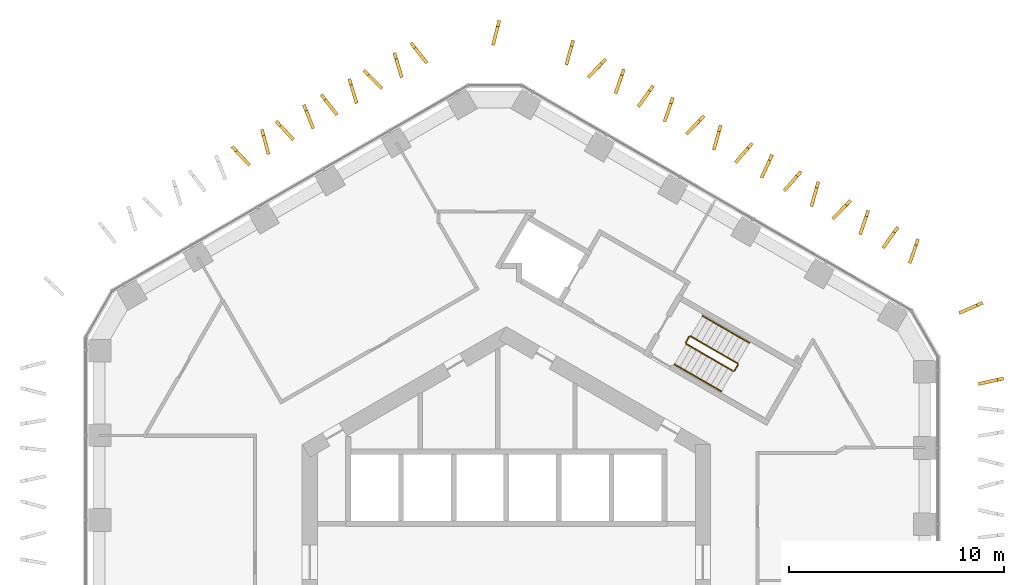
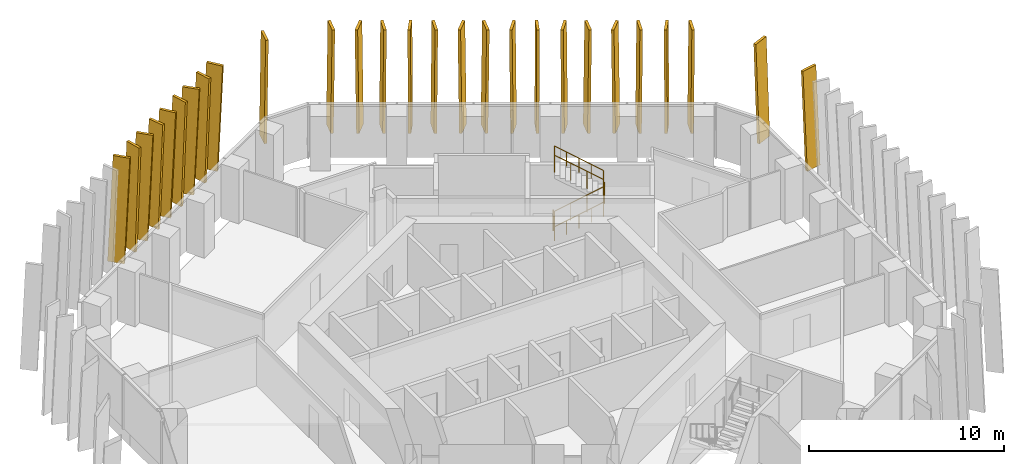
# One storey, part 19 of 19: 27 shading devices, 8 railings.
"""IFC4 building model written with IfcOpenShell, lengths in metres."""

from ifc_helpers import new_model, si_unit, direction, frame, origin, origin_2d, place, context, subcontext, project, spatial, polyline, circle, outline, extrude, material, layer, layer_set, type_object, element, save


model = new_model("IFC4")

# Units and contexts
model_context = context("Model", 3, precision=1e-05, world=origin(), true_north=direction((0.0, 1.0)))
body_context = subcontext(model_context, "Body", "Model", "MODEL_VIEW")
ifc_project = project(units=[si_unit("LENGTHUNIT", "METRE"), si_unit("AREAUNIT", "SQUARE_METRE"), si_unit("VOLUMEUNIT", "CUBIC_METRE"), si_unit("PLANEANGLEUNIT", "RADIAN"), si_unit("MASSUNIT", "GRAM", prefix="KILO")], contexts=[model_context])

# Site, building, storey
site_placement = place(None, origin())
site = spatial("IfcSite", under=ifc_project, at=site_placement, CompositionType="ELEMENT")
building_placement = place(site_placement, origin())
building = spatial("IfcBuilding", under=site, at=building_placement, Name="Ayvan Gate Tower", CompositionType="ELEMENT")
storey_placement = place(building_placement, frame((0.0, 0.0, 113.699951171875)))
storey = spatial("IfcBuildingStorey", under=building, at=storey_placement, Name="L30", CompositionType="ELEMENT", Elevation=113.699951171875)

# Shading devices
ifc_material_1 = material(Name="Bronze anodised aluminium", Category="aluminium")
ifc_layer = layer(ifc_material_1, 0.14990234375)
ifc_layer_set = layer_set([ifc_layer], Name="Bronze anodised aluminium")
shading_device_type = type_object("IfcShadingDeviceType", Name="Bronze fin 900 x 150", PredefinedType="USERDEFINED", material=ifc_layer_set)
shading_device_1_placement = place(storey_placement, frame((-3.820556640625, 23.5234375, 0.0), z_axis=(0.784573624356, 0.620035621876, 0.000235729992), x_axis=(-0.620035639108, 0.784573646152, 2.5085e-08)))
element("IfcShadingDevice", 1, at=shading_device_1_placement, inside=storey, type_object=shading_device_type, Name="Bronze fin FG10.1.1", ObjectType="FIN", PredefinedType="USERDEFINED", context=body_context, shape_type="SweptSolid", body=[
    extrude(outline(polyline([(0.0, 0.0), (0.8999971815605226, -1.3552527156068805e-20), (0.6039928436375074, 6.679931811071054), (-0.2958529620345611, 6.679931856220464), (0.0, 0.0)])), origin(), (0.0, 0.0, -1.0), 0.14990234375),
])
shading_device_2_placement = place(storey_placement, frame((-4.878173828125, 22.881103515625, 0.0), z_axis=(0.957527111497, 0.288343150006, 0.000242057712), x_axis=(-0.288343158453, 0.957527139549, 0.0)))
element("IfcShadingDevice", 2, at=shading_device_2_placement, inside=storey, type_object=shading_device_type, Name="Bronze fin FG10.1.2", ObjectType="FIN", PredefinedType="USERDEFINED", context=body_context, shape_type="SweptSolid", body=[
    extrude(outline(polyline([(0.0, 0.0), (0.900043842784266, 0.0), (0.6042556983737211, 6.679931836320073), (-0.29578814441054485, 6.679931836320073), (0.0, 0.0)])), origin(), (0.0, 0.0, -1.0), 0.14990234375),
])
shading_device_3_placement = place(storey_placement, frame((-5.937744140625, 22.31201171875, 0.0), z_axis=(0.707174572331, 0.707038942379, 0.000241264772), x_axis=(-0.70703896296, 0.707174592909, 2.3138e-08)))
element("IfcShadingDevice", 3, at=shading_device_3_placement, inside=storey, type_object=shading_device_type, Name="Bronze fin FG10.1.3", ObjectType="FIN", PredefinedType="USERDEFINED", context=body_context, shape_type="SweptSolid", body=[
    extrude(outline(polyline([(0.0, 0.0), (0.9001110205447483, 2.710505431213761e-20), (0.6040445895385993, 6.6799318210633825), (-0.2958938140718326, 6.6799318627137625), (0.0, 0.0)])), origin(), (0.0, 0.0, -1.0), 0.14990234375),
])
shading_device_4_placement = place(storey_placement, frame((-6.976318359375, 21.670166015625, 0.0), z_axis=(0.956030865002, 0.293265994628, 0.000203857718), x_axis=(-0.293266000721, 0.956030884868, 0.0)))
element("IfcShadingDevice", 4, at=shading_device_4_placement, inside=storey, type_object=shading_device_type, Name="Bronze fin FG10.1.4", ObjectType="FIN", PredefinedType="USERDEFINED", context=body_context, shape_type="SweptSolid", body=[
    extrude(outline(polyline([(0.0, 0.0), (0.8999202600228349, -6.776263578034403e-21), (0.6041099751842126, 6.679931779427202), (-0.2958102848386224, 6.679931779427202), (0.0, 0.0)])), origin(), (0.0, 0.0, -1.0), 0.14990234375),
])
shading_device_5_placement = place(storey_placement, frame((-8.0, 21.10986328125, 0.0), z_axis=(0.787676690861, 0.616088777319, 0.000221665452), x_axis=(-0.616088792452, 0.787676710215, -1.8522e-08)))
element("IfcShadingDevice", 5, at=shading_device_5_placement, inside=storey, type_object=shading_device_type, Name="Bronze fin FG10.1.5", ObjectType="FIN", PredefinedType="USERDEFINED", context=body_context, shape_type="SweptSolid", body=[
    extrude(outline(polyline([(0.0, 0.0), (0.9000368198541718, 4.0657581468206416e-20), (0.6040113423444786, 6.679931815923722), (-0.2958331736253635, 6.679931782586073), (0.0, 0.0)])), origin(), (0.0, 0.0, -1.0), 0.14990234375),
])
shading_device_6_placement = place(storey_placement, frame((-9.023193359375, 20.494384765625, 0.0), z_axis=(0.929845264215, 0.367950729553, 0.000212694521), x_axis=(-0.36795073787, 0.929845285249, -2.6824e-08)))
element("IfcShadingDevice", 6, at=shading_device_6_placement, inside=storey, type_object=shading_device_type, Name="Bronze fin FG10.1.6", ObjectType="FIN", PredefinedType="USERDEFINED", context=body_context, shape_type="SweptSolid", body=[
    extrude(outline(polyline([(0.0, 0.0), (0.9000124117156667, 1.3552527156068805e-20), (0.6041885870942016, 6.6799318079285275), (-0.295913656344578, 6.679931759641694), (0.0, 0.0)])), origin(), (0.0, 0.0, -1.0), 0.14990234375),
])
shading_device_7_placement = place(storey_placement, frame((-10.049560546875, 19.93505859375, 0.0), z_axis=(0.72913102166, 0.684374095107, 0.000226274756), x_axis=(-0.684374112627, 0.729131040325, 0.0)))
element("IfcShadingDevice", 7, at=shading_device_7_placement, inside=storey, type_object=shading_device_type, Name="Bronze fin FG10.1.7", ObjectType="FIN", PredefinedType="USERDEFINED", context=body_context, shape_type="SweptSolid", body=[
    extrude(outline(polyline([(0.0, 0.0), (0.9000439752325704, -1.3552527156068805e-20), (0.6041267372622982, 6.679931811632143), (-0.29591723797027214, 6.679931811632143), (0.0, 0.0)])), origin(), (0.0, 0.0, -1.0), 0.14990234375),
])
shading_device_8_placement = place(storey_placement, frame((-11.072509765625, 19.302490234375, 0.0), z_axis=(0.965937125933, 0.258776753199, 0.000246469686), x_axis=(-0.258776761059, 0.965937155273, 0.0)))
element("IfcShadingDevice", 8, at=shading_device_8_placement, inside=storey, type_object=shading_device_type, Name="Bronze fin FG10.1.8", ObjectType="FIN", PredefinedType="USERDEFINED", context=body_context, shape_type="SweptSolid", body=[
    extrude(outline(polyline([(0.0, 0.0), (0.9000427831971298, 0.0), (0.6042608467653879, 6.679931843518936), (-0.29578193643174183, 6.679931843518936), (0.0, 0.0)])), origin(), (0.0, 0.0, -1.0), 0.14990234375),
])
shading_device_9_placement = place(storey_placement, frame((-12.097412109375, 18.752685546875, 0.0), z_axis=(0.72913102166, 0.684374095107, 0.000226274756), x_axis=(-0.684374112627, 0.729131040325, 0.0)))
element("IfcShadingDevice", 9, at=shading_device_9_placement, inside=storey, type_object=shading_device_type, Name="Bronze fin FG10.1.9", ObjectType="FIN", PredefinedType="USERDEFINED", context=body_context, shape_type="SweptSolid", body=[
    extrude(outline(polyline([(0.0, 0.0), (0.9000439752325704, -1.3552527156068805e-20), (0.6041267372622982, 6.679931811632143), (-0.29591723797027214, 6.679931811632143), (0.0, 0.0)])), origin(), (0.0, 0.0, -1.0), 0.14990234375),
])
shading_device_10_placement = place(storey_placement, frame((22.287841796875, 8.291259765625, 0.0), z_axis=(0.21335303306, -0.976975141217, 0.000238176522), x_axis=(0.976975168929, 0.213353039106, -2.4673e-08)))
element("IfcShadingDevice", 10, at=shading_device_10_placement, inside=storey, type_object=shading_device_type, Name="Bronze fin FG10.9.79", ObjectType="FIN", PredefinedType="USERDEFINED", context=body_context, shape_type="SweptSolid", body=[
    extrude(outline(polyline([(0.0, 0.0), (0.8998493828250377, 0.0), (0.6040776084519599, 6.400146680813204), (-0.29606238184574263, 6.4001466364025035), (0.0, 0.0)])), origin(), (0.0, 0.0, -1.0), 0.14990234375),
])
shading_device_11_placement = place(storey_placement, frame((21.38818359375, 11.650634765625, 0.0), z_axis=(0.403947409913, -0.914782180138, 0.000230059021), x_axis=(0.914782204346, 0.403947420602, 0.0)))
element("IfcShadingDevice", 11, at=shading_device_11_placement, inside=storey, type_object=shading_device_type, Name="Bronze fin FG10.10.80", ObjectType="FIN", PredefinedType="USERDEFINED", context=body_context, shape_type="SweptSolid", body=[
    extrude(outline(polyline([(0.0, 0.0), (0.899932446858565, 0.0), (0.6040746390948211, 6.400146653745773), (-0.29585780776374404, 6.400146653745773), (0.0, 0.0)])), origin(), (0.0, 0.0, -1.0), 0.14990234375),
])
shading_device_12_placement = place(storey_placement, frame((18.949462890625, 14.17626953125, 0.0), z_axis=(0.945251816219, -0.326341780718, 0.000214690693), x_axis=(0.326341788241, 0.945251838003, -9.504e-09)))
element("IfcShadingDevice", 12, at=shading_device_12_placement, inside=storey, type_object=shading_device_type, Name="Bronze fin FG10.11.81", ObjectType="FIN", PredefinedType="USERDEFINED", context=body_context, shape_type="SweptSolid", body=[
    extrude(outline(polyline([(0.0, 0.0), (0.8998648864393721, 6.776263578034403e-21), (0.6041407243377857, 6.679931800312939), (-0.2959549364760988, 6.679931783205633), (0.0, 0.0)])), origin(), (0.0, 0.0, -1.0), 0.14990234375),
])
shading_device_13_placement = place(storey_placement, frame((17.774169921875, 14.82958984375, 0.0), z_axis=(0.815763124728, -0.57838609309, 0.000227274747), x_axis=(0.578386108028, 0.815763145797, 0.0)))
element("IfcShadingDevice", 13, at=shading_device_13_placement, inside=storey, type_object=shading_device_type, Name="Bronze fin FG10.11.82", ObjectType="FIN", PredefinedType="USERDEFINED", context=body_context, shape_type="SweptSolid", body=[
    extrude(outline(polyline([(0.0, 0.0), (0.8999313871402704, -1.3552527156068805e-20), (0.6040653493283632, 6.679931813146969), (-0.2958660378119073, 6.679931813146969), (0.0, 0.0)])), origin(), (0.0, 0.0, -1.0), 0.14990234375),
])
shading_device_14_placement = place(storey_placement, frame((16.638427734375, 15.5107421875, 0.0), z_axis=(0.946102736437, -0.323866590397, 0.000209116739), x_axis=(0.323866597479, 0.946102757124, 0.0)))
element("IfcShadingDevice", 14, at=shading_device_14_placement, inside=storey, type_object=shading_device_type, Name="Bronze fin FG10.11.83", ObjectType="FIN", PredefinedType="USERDEFINED", context=body_context, shape_type="SweptSolid", body=[
    extrude(outline(polyline([(0.0, 0.0), (0.9000740073823146, -1.3552527156068805e-20), (0.6041300223472891, 6.679931786681077), (-0.29594398503502534, 6.679931786681077), (0.0, 0.0)])), origin(), (0.0, 0.0, -1.0), 0.14990234375),
])
shading_device_15_placement = place(storey_placement, frame((15.4599609375, 16.1533203125, 0.0), z_axis=(0.71237690282, -0.701797047828, 0.000228010227), x_axis=(0.70179706607, 0.712376921338, 0.0)))
element("IfcShadingDevice", 15, at=shading_device_15_placement, inside=storey, type_object=shading_device_type, Name="Bronze fin FG10.11.84", ObjectType="FIN", PredefinedType="USERDEFINED", context=body_context, shape_type="SweptSolid", body=[
    extrude(outline(polyline([(0.0, 0.0), (0.8999635755267725, 0.0), (0.6040728853608747, 6.679931814265368), (-0.29589069016589786, 6.679931814265368), (0.0, 0.0)])), origin(), (0.0, 0.0, -1.0), 0.14990234375),
])
shading_device_16_placement = place(storey_placement, frame((14.359619140625, 16.83203125, 0.0), z_axis=(0.963529541078, -0.267601884086, 0.00023473983), x_axis=(0.267601891452, 0.963529567627, 3.0678e-08)))
element("IfcShadingDevice", 16, at=shading_device_16_placement, inside=storey, type_object=shading_device_type, Name="Bronze fin FG10.11.85", ObjectType="FIN", PredefinedType="USERDEFINED", context=body_context, shape_type="SweptSolid", body=[
    extrude(outline(polyline([(0.0, 0.0), (0.8999786350543156, 6.776263578034403e-21), (0.604133112435591, 6.679931806132729), (-0.2959108551117549, 6.6799318613541585), (0.0, 0.0)])), origin(), (0.0, 0.0, -1.0), 0.14990234375),
])
shading_device_17_placement = place(storey_placement, frame((13.19189453125, 17.467529296875, 0.0), z_axis=(0.755635355797, -0.654992484858, 0.000232052252), x_axis=(0.654992502501, 0.755635376135, -4.44e-08)))
element("IfcShadingDevice", 17, at=shading_device_17_placement, inside=storey, type_object=shading_device_type, Name="Bronze fin FG10.11.86", ObjectType="FIN", PredefinedType="USERDEFINED", context=body_context, shape_type="SweptSolid", body=[
    extrude(outline(polyline([(0.0, 0.0), (0.8999637246282595, 0.0), (0.6041326572486069, 6.67993184729983), (-0.29585563839372336, 6.679931767381899), (0.0, 0.0)])), origin(), (0.0, 0.0, -1.0), 0.14990234375),
])
shading_device_18_placement = place(storey_placement, frame((12.076416015625, 18.13525390625, 0.0), z_axis=(0.908443050016, -0.418008581688, 0.000224751249), x_axis=(0.418008592246, 0.90844307296, 0.0)))
element("IfcShadingDevice", 18, at=shading_device_18_placement, inside=storey, type_object=shading_device_type, Name="Bronze fin FG10.11.87", ObjectType="FIN", PredefinedType="USERDEFINED", context=body_context, shape_type="SweptSolid", body=[
    extrude(outline(polyline([(0.0, 0.0), (0.9000310283186577, 0.0), (0.6042568844368866, 6.679931809337113), (-0.295774143881771, 6.679931809337113), (0.0, 0.0)])), origin(), (0.0, 0.0, -1.0), 0.14990234375),
])
shading_device_19_placement = place(storey_placement, frame((10.9189453125, 18.77978515625, 0.0), z_axis=(0.754941205348, -0.655792441225, 0.000224720577), x_axis=(0.65579245778, 0.754941224414, 2.3013e-08)))
element("IfcShadingDevice", 19, at=shading_device_19_placement, inside=storey, type_object=shading_device_type, Name="Bronze fin FG10.11.88", ObjectType="FIN", PredefinedType="USERDEFINED", context=body_context, shape_type="SweptSolid", body=[
    extrude(outline(polyline([(0.0, 0.0), (0.8999149897453291, -1.3552527156068805e-20), (0.6040827144619366, 6.679931795389594), (-0.29599238086390517, 6.679931836811938), (0.0, 0.0)])), origin(), (0.0, 0.0, -1.0), 0.14990234375),
])
shading_device_20_placement = place(storey_placement, frame((9.8134765625, 19.456787109375, 0.0), z_axis=(0.963634393477, -0.267224064633, 0.00023449766), x_axis=(0.26722407198, 0.963634419972, 0.0)))
element("IfcShadingDevice", 20, at=shading_device_20_placement, inside=storey, type_object=shading_device_type, Name="Bronze fin FG10.11.89", ObjectType="FIN", PredefinedType="USERDEFINED", context=body_context, shape_type="SweptSolid", body=[
    extrude(outline(polyline([(0.0, 0.0), (0.8999133717383321, 0.0), (0.6040682356444498, 6.679931824286899), (-0.29584513609388235, 6.679931824286899), (0.0, 0.0)])), origin(), (0.0, 0.0, -1.0), 0.14990234375),
])
shading_device_21_placement = place(storey_placement, frame((8.640625, 20.09033203125, 0.0), z_axis=(0.712646084798, -0.701523705857, 0.000218957388), x_axis=(0.701523722674, 0.712646101881, 0.0)))
element("IfcShadingDevice", 21, at=shading_device_21_placement, inside=storey, type_object=shading_device_type, Name="Bronze fin FG10.11.90", ObjectType="FIN", PredefinedType="USERDEFINED", context=body_context, shape_type="SweptSolid", body=[
    extrude(outline(polyline([(0.0, 0.0), (0.8999662247254143, -1.3552527156068805e-20), (0.6042474110830734, 6.679931800750775), (-0.29571881364234087, 6.679931800750775), (0.0, 0.0)])), origin(), (0.0, 0.0, -1.0), 0.14990234375),
])
shading_device_22_placement = place(storey_placement, frame((7.536376953125, 20.765869140625, 0.0), z_axis=(0.94590787241, -0.324435278291, 0.000217055204), x_axis=(0.324435285934, 0.945907894692, 0.0)))
element("IfcShadingDevice", 22, at=shading_device_22_placement, inside=storey, type_object=shading_device_type, Name="Bronze fin FG10.11.91", ObjectType="FIN", PredefinedType="USERDEFINED", context=body_context, shape_type="SweptSolid", body=[
    extrude(outline(polyline([(0.0, 0.0), (0.9000013258712327, 6.776263578034403e-21), (0.6039773467427731, 6.679931797980689), (-0.2960239791284596, 6.679931797980689), (0.0, 0.0)])), origin(), (0.0, 0.0, -1.0), 0.14990234375),
])
shading_device_23_placement = place(storey_placement, frame((6.379638671875, 21.408203125, 0.0), z_axis=(0.814978083222, -0.579491739601, 0.000218180369), x_axis=(0.579491753394, 0.814978102619, 0.0)))
element("IfcShadingDevice", 23, at=shading_device_23_placement, inside=storey, type_object=shading_device_type, Name="Bronze fin FG10.11.92", ObjectType="FIN", PredefinedType="USERDEFINED", context=body_context, shape_type="SweptSolid", body=[
    extrude(outline(polyline([(0.0, 0.0), (0.8998995618937605, 0.0), (0.6040892292212555, 6.679931799616307), (-0.295810332672505, 6.679931799616307), (0.0, 0.0)])), origin(), (0.0, 0.0, -1.0), 0.14990234375),
])
shading_device_24_placement = place(storey_placement, frame((5.25341796875, 22.08349609375, 0.0), z_axis=(0.944747156578, -0.327799867564, 0.000238669239), x_axis=(0.327799876893, 0.944747183488, 3.0582e-08)))
element("IfcShadingDevice", 24, at=shading_device_24_placement, inside=storey, type_object=shading_device_type, Name="Bronze fin FG10.11.93", ObjectType="FIN", PredefinedType="USERDEFINED", context=body_context, shape_type="SweptSolid", body=[
    extrude(outline(polyline([(0.0, 0.0), (0.9000333719180249, 1.3552527156068805e-20), (0.6041474968288065, 6.6799318124035665), (-0.29596590435603803, 6.679931867455353), (0.0, 0.0)])), origin(), (0.0, 0.0, -1.0), 0.14990234375),
])
shading_device_25_placement = place(storey_placement, frame((4.065673828125, 22.731689453125, 0.0), z_axis=(0.713385181027, -0.700772097028, 0.000226974473), x_axis=(0.700772115083, 0.7133851994, -2.1958e-08)))
element("IfcShadingDevice", 25, at=shading_device_25_placement, inside=storey, type_object=shading_device_type, Name="Bronze fin FG10.11.94", ObjectType="FIN", PredefinedType="USERDEFINED", context=body_context, shape_type="SweptSolid", body=[
    extrude(outline(polyline([(0.0, 0.0), (0.9001460497546021, 4.0657581468206416e-20), (0.6042546292065915, 6.679931825959791), (-0.29572033360585187, 6.679931786432242), (0.0, 0.0)])), origin(), (0.0, 0.0, -1.0), 0.14990234375),
])
shading_device_26_placement = place(storey_placement, frame((2.946533203125, 23.42138671875, 0.0), z_axis=(0.963793298431, -0.266650383439, 0.000225636786), x_axis=(0.266650390226, 0.963793322965, 0.0)))
element("IfcShadingDevice", 26, at=shading_device_26_placement, inside=storey, type_object=shading_device_type, Name="Bronze fin FG10.11.95", ObjectType="FIN", PredefinedType="USERDEFINED", context=body_context, shape_type="SweptSolid", body=[
    extrude(outline(polyline([(0.0, 0.0), (0.9000183130096557, 0.0), (0.6042392619935932, 6.679931810669212), (-0.29577905101606256, 6.679931810669212), (0.0, 0.0)])), origin(), (0.0, 0.0, -1.0), 0.14990234375),
])
shading_device_27_placement = place(storey_placement, frame((-0.47119140625, 24.338623046875, 0.0), z_axis=(0.969460455053, -0.245247586783, 0.000217407068), x_axis=(0.245247592577, 0.969460477965, 7.231e-09)))
element("IfcShadingDevice", 27, at=shading_device_27_placement, inside=storey, type_object=shading_device_type, Name="Bronze fin FG10.12.96", ObjectType="FIN", PredefinedType="USERDEFINED", context=body_context, shape_type="SweptSolid", body=[
    extrude(outline(polyline([(0.0, 0.0), (0.9000379814293908, 0.0), (0.604028112332601, 6.679931794123252), (-0.2957731844097867, 6.679931807138767), (0.0, 0.0)])), origin(), (0.0, 0.0, -1.0), 0.14990234375),
])

# Railings
ifc_material_2 = material(Name="Stainless steel balustrade", Category="steel")
railing_type_1 = type_object("IfcRailingType", Name="RL-GUARD-1100", PredefinedType="GUARDRAIL", material=ifc_material_2)
railing_1_placement = place(storey_placement, frame((8.381103515625, 10.16650390625, 0.170166015625)))
element("IfcRailing", 28, at=railing_1_placement, inside=storey, type_object=railing_type_1, Name="L30 STS1 stair guard 1", PredefinedType="GUARDRAIL", context=body_context, shape_type="SweptSolid", body=[
    extrude(circle(Radius=0.02392578125, at=origin_2d()), frame((0.0, 0.0, 1.076171875), z_axis=(0.740292969978, -0.427413806696, 0.51892557891), x_axis=(0.500004791531, 0.866022637375, 0.0)), (0.0, 0.0, 1.0), 2.947998046875),
    extrude(circle(Radius=0.02099609375, at=origin_2d()), origin(), (0.0, 0.0, 1.0), 1.052001953125),
    extrude(circle(Radius=0.02099609375, at=origin_2d()), frame((0.7275390625, -0.419921875, 0.510009765625)), (0.0, 0.0, 1.0), 1.052001953125),
    extrude(circle(Radius=0.02099609375, at=origin_2d()), frame((1.454833984375, -0.840087890625, 1.019775390625)), (0.0, 0.0, 1.0), 1.052001953125),
    extrude(circle(Radius=0.02099609375, at=origin_2d()), frame((2.182373046875, -1.260009765625, 1.52978515625)), (0.0, 0.0, 1.0), 1.052001953125),
])
railing_2_placement = place(storey_placement, frame((10.6318359375, 8.9248046875, 1.699951171875)))
element("IfcRailing", 29, at=railing_2_placement, inside=storey, type_object=railing_type_1, Name="L30 STS1 stair guard 2", PredefinedType="GUARDRAIL", context=body_context, shape_type="SweptSolid", body=[
    extrude(circle(Radius=0.02392578125, at=origin_2d()), frame((0.0, 0.0, 1.076171875), z_axis=(0.499949632511, 0.866054481515, 0.0), x_axis=(-0.866054481515, 0.499949632511, 0.0)), (0.0, 0.0, 1.0), 0.31005859375),
    extrude(circle(Radius=0.02099609375, at=origin_2d()), origin(), (0.0, 0.0, 1.0), 1.052001953125),
    extrude(circle(Radius=0.02099609375, at=origin_2d()), frame((0.155029296875, 0.2685546875, 0.0)), (0.0, 0.0, 1.0), 1.052001953125),
])
railing_3_placement = place(storey_placement, frame((10.7685546875, 9.261474609375, 1.8701171875)))
element("IfcRailing", 30, at=railing_3_placement, inside=storey, type_object=railing_type_1, Name="L30 STS1 stair guard 3", PredefinedType="GUARDRAIL", context=body_context, shape_type="SweptSolid", body=[
    extrude(circle(Radius=0.02392578125, at=origin_2d()), frame((0.0, 0.0, 1.076171875), z_axis=(-0.740261155115, 0.427395438142, 0.518986090067), x_axis=(-0.500004791531, -0.866022637375, 0.0)), (0.0, 0.0, 1.0), 2.947998046875),
    extrude(circle(Radius=0.02099609375, at=origin_2d()), origin(), (0.0, 0.0, 1.0), 1.052001953125),
    extrude(circle(Radius=0.02099609375, at=origin_2d()), frame((-0.7275390625, 0.419921875, 0.510009765625)), (0.0, 0.0, 1.0), 1.052001953125),
    extrude(circle(Radius=0.02099609375, at=origin_2d()), frame((-1.454833984375, 0.840087890625, 1.02001953125)), (0.0, 0.0, 1.0), 1.052001953125),
    extrude(circle(Radius=0.02099609375, at=origin_2d()), frame((-2.182373046875, 1.260009765625, 1.530029296875)), (0.0, 0.0, 1.0), 1.052001953125),
])
railing_4_placement = place(storey_placement, frame((8.36279296875, 10.23486328125, 0.0)))
element("IfcRailing", 31, at=railing_4_placement, inside=storey, type_object=railing_type_1, Name="L30 STS1 stair guard 4", PredefinedType="GUARDRAIL", context=body_context, shape_type="SweptSolid", body=[
    extrude(circle(Radius=0.02392578125, at=origin_2d()), frame((0.0, 0.0, 1.076171875), z_axis=(0.500290723946, 0.86585748916, 0.0), x_axis=(-0.86585748916, 0.500290723946, 0.0)), (0.0, 0.0, 1.0), 0.309814453125),
    extrude(circle(Radius=0.02099609375, at=origin_2d()), origin(), (0.0, 0.0, 1.0), 1.052001953125),
    extrude(circle(Radius=0.02099609375, at=origin_2d()), frame((0.155029296875, 0.268310546875, 0.0)), (0.0, 0.0, 1.0), 1.052001953125),
])
railing_type_2 = type_object("IfcRailingType", Name="RL-HANDRAIL-900", PredefinedType="HANDRAIL", material=ifc_material_2)
railing_5_placement = place(storey_placement, frame((7.8310546875, 9.2138671875, 0.170166015625)))
element("IfcRailing", 32, at=railing_5_placement, inside=storey, type_object=railing_type_2, Name="L30 STS1 stair handrail 1", PredefinedType="HANDRAIL", context=body_context, shape_type="SweptSolid", body=[
    extrude(circle(Radius=0.02392578125, at=origin_2d()), frame((0.0, 0.0, 0.8759765625), z_axis=(0.740356597536, -0.427319915356, 0.518912129772), x_axis=(0.499890179513, 0.866088799389, 0.0)), (0.0, 0.0, 1.0), 1.47412109375),
    extrude(circle(Radius=0.02099609375, at=origin_2d()), origin(), (0.0, 0.0, 1.0), 0.851806640625),
    extrude(circle(Radius=0.02099609375, at=origin_2d()), frame((0.545654296875, -0.31494140625, 0.38232421875)), (0.0, 0.0, 1.0), 0.851806640625),
    extrude(circle(Radius=0.02099609375, at=origin_2d()), frame((1.09130859375, -0.6298828125, 0.764892578125)), (0.0, 0.0, 1.0), 0.851806640625),
])
railing_6_placement = place(storey_placement, frame((8.92236328125, 8.583984375, 0.93505859375)))
element("IfcRailing", 33, at=railing_6_placement, inside=storey, type_object=railing_type_2, Name="L30 STS1 stair handrail 2", PredefinedType="HANDRAIL", context=body_context, shape_type="SweptSolid", body=[
    extrude(circle(Radius=0.02392578125, at=origin_2d()), frame((0.0, 0.0, 0.8759765625), z_axis=(0.740229329464, -0.427507697325, 0.518939021976), x_axis=(0.50011940292, 0.865956455501, 0.0)), (0.0, 0.0, 1.0), 1.473876953125),
    extrude(circle(Radius=0.02099609375, at=origin_2d()), origin(), (0.0, 0.0, 1.0), 0.851806640625),
    extrude(circle(Radius=0.02099609375, at=origin_2d()), frame((0.54541015625, -0.31494140625, 0.38232421875)), (0.0, 0.0, 1.0), 0.851806640625),
    extrude(circle(Radius=0.02099609375, at=origin_2d()), frame((1.091064453125, -0.630126953125, 0.764892578125)), (0.0, 0.0, 1.0), 0.851806640625),
])
railing_7_placement = place(storey_placement, frame((11.318603515625, 10.214111328125, 1.8701171875)))
element("IfcRailing", 34, at=railing_7_placement, inside=storey, type_object=railing_type_2, Name="L30 STS1 stair handrail 3", PredefinedType="HANDRAIL", context=body_context, shape_type="SweptSolid", body=[
    extrude(circle(Radius=0.02392578125, at=origin_2d()), frame((0.0, 0.0, 0.8759765625), z_axis=(-0.740304193401, 0.427455284825, 0.518875399983), x_axis=(-0.500035496587, -0.86600490885, 0.0)), (0.0, 0.0, 1.0), 1.47412109375),
    extrude(circle(Radius=0.02099609375, at=origin_2d()), origin(), (0.0, 0.0, 1.0), 0.851806640625),
    extrude(circle(Radius=0.02099609375, at=origin_2d()), frame((-0.545654296875, 0.31494140625, 0.38232421875)), (0.0, 0.0, 1.0), 0.851806640625),
    extrude(circle(Radius=0.02099609375, at=origin_2d()), frame((-1.09130859375, 0.630126953125, 0.764892578125)), (0.0, 0.0, 1.0), 0.851806640625),
])
railing_8_placement = place(storey_placement, frame((10.227294921875, 10.84423828125, 2.635009765625)))
element("IfcRailing", 35, at=railing_8_placement, inside=storey, type_object=railing_type_2, Name="L30 STS1 stair handrail 4", PredefinedType="HANDRAIL", context=body_context, shape_type="SweptSolid", body=[
    extrude(circle(Radius=0.02392578125, at=origin_2d()), frame((0.0, 0.0, 0.8759765625), z_axis=(-0.740292964666, 0.42728318766, 0.519033143459), x_axis=(-0.499890179513, -0.866088799389, 0.0)), (0.0, 0.0, 1.0), 1.47412109375),
    extrude(circle(Radius=0.02099609375, at=origin_2d()), origin(), (0.0, 0.0, 1.0), 0.851806640625),
    extrude(circle(Radius=0.02099609375, at=origin_2d()), frame((-0.545654296875, 0.31494140625, 0.382568359375)), (0.0, 0.0, 1.0), 0.851806640625),
    extrude(circle(Radius=0.02099609375, at=origin_2d()), frame((-1.09130859375, 0.6298828125, 0.76513671875)), (0.0, 0.0, 1.0), 0.851806640625),
])

save(model, "model.ifc")
